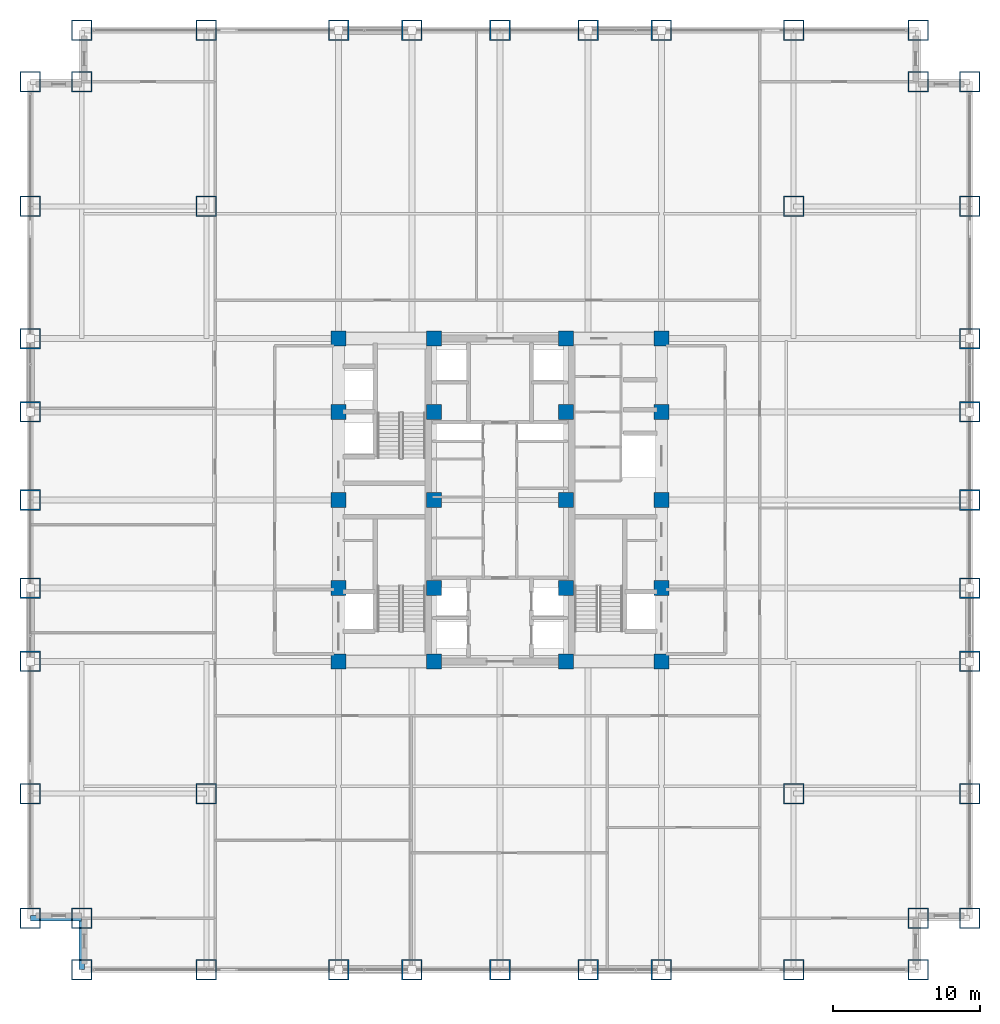
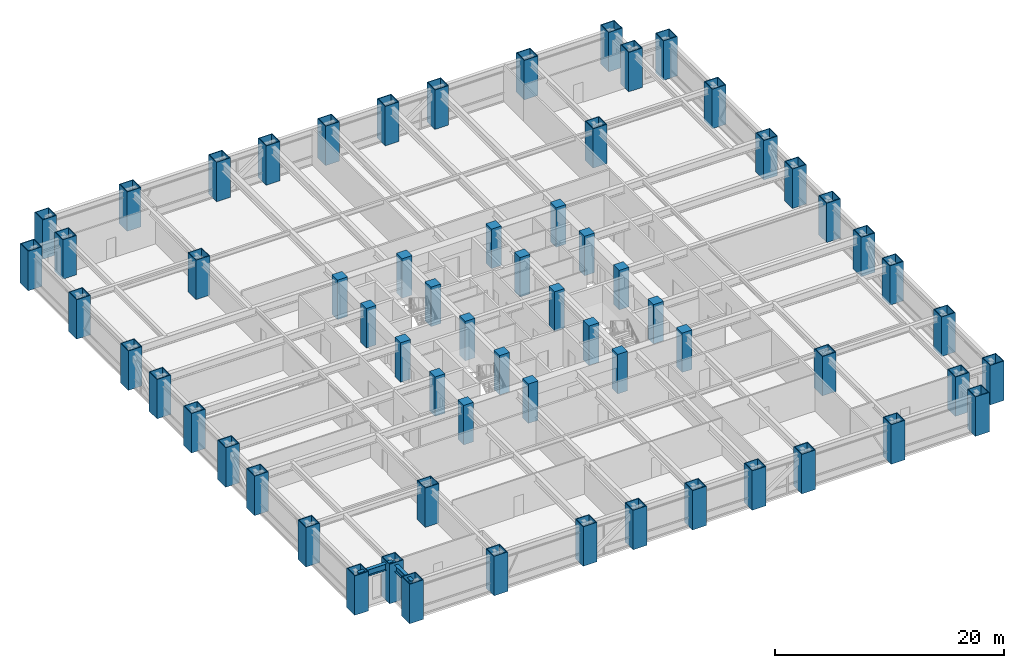
# One storey, part 1 of 28: 64 columns, 2 beams.
"""IFC4 building model written with IfcOpenShell, lengths in metres."""

from ifc_helpers import new_model, si_unit, direction, frame, origin, origin_2d, place, context, subcontext, project, spatial, rectangle, hollow_rectangle, i_section, extrude, source, transform, mapped, material, material_profile, profile_set, type_object, element, save


model = new_model("IFC4")

# Units and contexts
model_context = context("Model", 3, precision=1e-05, world=origin(), true_north=direction((0.0, 1.0)))
body_context = subcontext(model_context, "Body", "Model", "MODEL_VIEW")
ifc_project = project(units=[si_unit("LENGTHUNIT", "METRE"), si_unit("AREAUNIT", "SQUARE_METRE"), si_unit("VOLUMEUNIT", "CUBIC_METRE"), si_unit("PLANEANGLEUNIT", "RADIAN"), si_unit("MASSUNIT", "GRAM", prefix="KILO")], contexts=[model_context])

# Site, building, storey
site_placement = place(None, origin())
site = spatial("IfcSite", under=ifc_project, at=site_placement, CompositionType="ELEMENT")
building_placement = place(site_placement, origin())
building = spatial("IfcBuilding", under=site, at=building_placement, Name="Khorayat Bourse Tower", CompositionType="ELEMENT")
storey_placement = place(building_placement, frame((0.0, 0.0, 62.0)))
storey = spatial("IfcBuildingStorey", under=building, at=storey_placement, Name="L13", CompositionType="ELEMENT", Elevation=62.0)

# Columns
ifc_material_1 = material(Name="Steel EN 10025-4 S460M", Category="steel")
ifc_material_profile_1 = material_profile(ifc_material_1, hollow_rectangle(XDim=1.39990234375, YDim=1.39990234375, WallThickness=0.074951171875, at=origin_2d()), Name="BOX 1400x1400x75")
ifc_profile_set_1 = profile_set([ifc_material_profile_1], Name="Steel EN 10025-4 S460M")
column_type_1 = type_object("IfcColumnType", Name="COL-TUBE-1400", PredefinedType="COLUMN", material=ifc_profile_set_1)
shared_shape_1 = source(origin(), body_context, "Body", "SweptSolid", [
    extrude(hollow_rectangle(XDim=1.39990234375, YDim=1.39990234375, WallThickness=0.074951171875, at=origin_2d()), origin(), (0.0, 0.0, 1.0), 4.199951171875),
])
for number, where, z_axis, x_axis, name in (
    (1, (-32.0, -28.5, 0.0), (0.0, 0.0, 1.0), (1.0, 0.0, 0.0), "L13 Column 001"),
    (2, (-32.0, -20.0, 0.0), (0.0, 0.0, 1.0), (1.0, 0.0, 0.0), "L13 Column 002"),
    (3, (-32.0, -11.0, 0.0), (0.0, 0.0, 1.0), (1.0, 0.0, 0.0), "L13 Column 003"),
    (4, (-32.0, -6.0, 0.0), (0.0, 0.0, 1.0), (1.0, 0.0, 0.0), "L13 Column 004"),
    (5, (-32.0, 0.0, 0.0), (0.0, 0.0, 1.0), (1.0, 0.0, 0.0), "L13 Column 005"),
    (6, (-32.0, 6.0, 0.0), (0.0, 0.0, 1.0), (1.0, 0.0, 0.0), "L13 Column 006"),
    (7, (-32.0, 11.0, 0.0), (0.0, 0.0, 1.0), (1.0, 0.0, 0.0), "L13 Column 007"),
    (8, (-32.0, 20.0, 0.0), (0.0, 0.0, 1.0), (1.0, 0.0, 0.0), "L13 Column 008"),
    (9, (-32.0, 28.5, 0.0), (0.0, 0.0, 1.0), (1.0, 0.0, 0.0), "L13 Column 009"),
    (10, (-28.5, -32.0, 0.0), (0.0, 0.0, 1.0), (1.0, 0.0, 0.0), "L13 Column 010"),
    (11, (-28.5, -28.5, 0.0), (0.0, 0.0, 1.0), (1.0, 0.0, 0.0), "L13 Column 011"),
    (12, (-28.5, 28.5, 0.0), (0.0, 0.0, 1.0), (1.0, 0.0, 0.0), "L13 Column 012"),
    (13, (-28.5, 32.0, 0.0), (0.0, 0.0, 1.0), (1.0, 0.0, 0.0), "L13 Column 013"),
    (14, (-20.0, -32.0, 0.0), (0.0, 0.0, 1.0), (1.0, 0.0, 0.0), "L13 Column 014"),
    (15, (-20.0, -20.0, 0.0), (0.0, 0.0, 1.0), (1.0, 0.0, 0.0), "L13 Column 015"),
    (16, (-20.0, 20.0, 0.0), (0.0, 0.0, 1.0), (1.0, 0.0, 0.0), "L13 Column 016"),
    (17, (-20.0, 32.0, 0.0), (0.0, 0.0, 1.0), (1.0, 0.0, 0.0), "L13 Column 017"),
    (18, (-11.0, -32.0, 0.0), (0.0, 0.0, 1.0), (1.0, 0.0, 0.0), "L13 Column 018"),
    (19, (-11.0, 32.0, 0.0), (0.0, 0.0, 1.0), (1.0, 0.0, 0.0), "L13 Column 024"),
    (20, (-6.0, -32.0, 0.0), (0.0, 0.0, 1.0), (1.0, 0.0, 0.0), "L13 Column 025"),
    (21, (-6.0, 32.0, 0.0), (0.0, 0.0, 1.0), (1.0, 0.0, 0.0), "L13 Column 026"),
    (22, (0.0, -32.0, 0.0), (0.0, 0.0, 1.0), (1.0, 0.0, 0.0), "L13 Column 032"),
    (23, (0.0, 32.0, 0.0), (0.0, 0.0, 1.0), (1.0, 0.0, 0.0), "L13 Column 033"),
    (24, (6.0, -32.0, 0.0), (0.0, 0.0, 1.0), (1.0, 0.0, 0.0), "L13 Column 039"),
    (25, (6.0, 32.0, 0.0), (0.0, 0.0, 1.0), (1.0, 0.0, 0.0), "L13 Column 040"),
    (26, (11.0, -32.0, 0.0), (0.0, 0.0, 1.0), (1.0, 0.0, 0.0), "L13 Column 041"),
    (27, (11.0, 32.0, 0.0), (0.0, 0.0, 1.0), (1.0, 0.0, 0.0), "L13 Column 047"),
    (28, (20.0, -32.0, 0.0), (0.0, 0.0, 1.0), (1.0, 0.0, 0.0), "L13 Column 048"),
    (29, (20.0, -20.0, 0.0), (0.0, 0.0, 1.0), (1.0, 0.0, 0.0), "L13 Column 049"),
    (30, (20.0, 20.0, 0.0), (0.0, 0.0, 1.0), (1.0, 0.0, 0.0), "L13 Column 050"),
    (31, (20.0, 32.0, 0.0), (0.0, 0.0, 1.0), (1.0, 0.0, 0.0), "L13 Column 051"),
    (32, (28.5, -32.0, 0.0), (0.0, 0.0, 1.0), (1.0, 0.0, 0.0), "L13 Column 052"),
    (33, (28.5, -28.5, 0.0), (0.0, 0.0, 1.0), (1.0, 0.0, 0.0), "L13 Column 053"),
    (34, (28.5, 28.5, 0.0), (0.0, 0.0, 1.0), (1.0, 0.0, 0.0), "L13 Column 054"),
    (35, (28.5, 32.0, 0.0), (0.0, 0.0, 1.0), (1.0, 0.0, 0.0), "L13 Column 055"),
    (36, (32.0, -28.5, 0.0), (0.0, 0.0, 1.0), (1.0, 0.0, 0.0), "L13 Column 056"),
    (37, (32.0, -20.0, 0.0), (0.0, 0.0, 1.0), (1.0, 0.0, 0.0), "L13 Column 057"),
    (38, (32.0, -11.0, 0.0), (0.0, 0.0, 1.0), (1.0, 0.0, 0.0), "L13 Column 058"),
    (39, (32.0, -6.0, 0.0), (0.0, 0.0, 1.0), (1.0, 0.0, 0.0), "L13 Column 059"),
    (40, (32.0, 0.0, 0.0), (0.0, 0.0, 1.0), (1.0, 0.0, 0.0), "L13 Column 060"),
    (41, (32.0, 6.0, 0.0), (0.0, 0.0, 1.0), (1.0, 0.0, 0.0), "L13 Column 061"),
    (42, (32.0, 11.0, 0.0), (0.0, 0.0, 1.0), (1.0, 0.0, 0.0), "L13 Column 062"),
    (43, (32.0, 20.0, 0.0), (0.0, 0.0, 1.0), (1.0, 0.0, 0.0), "L13 Column 063"),
    (44, (32.0, 28.5, 0.0), (0.0, 0.0, 1.0), (1.0, 0.0, 0.0), "L13 Column 064"),
):
    element("IfcColumn", number, at=place(storey_placement, frame(where, z_axis=z_axis, x_axis=x_axis)), inside=storey, type_object=column_type_1, Name=name, PredefinedType="COLUMN", context=body_context, shape_type="MappedRepresentation", body=[
        mapped(shared_shape_1, transform((0.0, 0.0, 0.0), scale=1.0)),
    ])
ifc_material_2 = material(Name="Concrete C72/90", Category="concrete")
ifc_material_profile_2 = material_profile(ifc_material_2, rectangle(XDim=1.0, YDim=1.0, at=origin_2d()), Name="RC 1000x1000")
ifc_profile_set_2 = profile_set([ifc_material_profile_2], Name="Concrete C72/90")
column_type_2 = type_object("IfcColumnType", Name="COL-CORE-1000", PredefinedType="COLUMN", material=ifc_profile_set_2)
shared_shape_2 = source(origin(), body_context, "Body", "SweptSolid", [
    extrude(rectangle(XDim=1.0, YDim=1.0, at=origin_2d()), origin(), (0.0, 0.0, 1.0), 4.199951171875),
])
for number, where, z_axis, x_axis, name in (
    (45, (-11.0, -11.0, 0.0), (0.0, 0.0, 1.0), (1.0, 0.0, 0.0), "L13 Column 019"),
    (46, (-11.0, -6.0, 0.0), (0.0, 0.0, 1.0), (1.0, 0.0, 0.0), "L13 Column 020"),
    (47, (-11.0, 0.0, 0.0), (0.0, 0.0, 1.0), (1.0, 0.0, 0.0), "L13 Column 021"),
    (48, (-11.0, 6.0, 0.0), (0.0, 0.0, 1.0), (1.0, 0.0, 0.0), "L13 Column 022"),
    (49, (-11.0, 11.0, 0.0), (0.0, 0.0, 1.0), (1.0, 0.0, 0.0), "L13 Column 023"),
    (50, (-4.5, -11.0, 0.0), (0.0, 0.0, 1.0), (1.0, 0.0, 0.0), "L13 Column 027"),
    (51, (-4.5, -6.0, 0.0), (0.0, 0.0, 1.0), (1.0, 0.0, 0.0), "L13 Column 028"),
    (52, (-4.5, 0.0, 0.0), (0.0, 0.0, 1.0), (1.0, 0.0, 0.0), "L13 Column 029"),
    (53, (-4.5, 6.0, 0.0), (0.0, 0.0, 1.0), (1.0, 0.0, 0.0), "L13 Column 030"),
    (54, (-4.5, 11.0, 0.0), (0.0, 0.0, 1.0), (1.0, 0.0, 0.0), "L13 Column 031"),
    (55, (4.5, -11.0, 0.0), (0.0, 0.0, 1.0), (1.0, 0.0, 0.0), "L13 Column 034"),
    (56, (4.5, -6.0, 0.0), (0.0, 0.0, 1.0), (1.0, 0.0, 0.0), "L13 Column 035"),
    (57, (4.5, 0.0, 0.0), (0.0, 0.0, 1.0), (1.0, 0.0, 0.0), "L13 Column 036"),
    (58, (4.5, 6.0, 0.0), (0.0, 0.0, 1.0), (1.0, 0.0, 0.0), "L13 Column 037"),
    (59, (4.5, 11.0, 0.0), (0.0, 0.0, 1.0), (1.0, 0.0, 0.0), "L13 Column 038"),
    (60, (11.0, -11.0, 0.0), (0.0, 0.0, 1.0), (1.0, 0.0, 0.0), "L13 Column 042"),
    (61, (11.0, -6.0, 0.0), (0.0, 0.0, 1.0), (1.0, 0.0, 0.0), "L13 Column 043"),
    (62, (11.0, 0.0, 0.0), (0.0, 0.0, 1.0), (1.0, 0.0, 0.0), "L13 Column 044"),
    (63, (11.0, 6.0, 0.0), (0.0, 0.0, 1.0), (1.0, 0.0, 0.0), "L13 Column 045"),
    (64, (11.0, 11.0, 0.0), (0.0, 0.0, 1.0), (1.0, 0.0, 0.0), "L13 Column 046"),
):
    element("IfcColumn", number, at=place(storey_placement, frame(where, z_axis=z_axis, x_axis=x_axis)), inside=storey, type_object=column_type_2, Name=name, PredefinedType="COLUMN", context=body_context, shape_type="MappedRepresentation", body=[
        mapped(shared_shape_2, transform((0.0, 0.0, 0.0), scale=1.0)),
    ])

# Beams
ifc_material_3 = material(Name="Steel ASTM A992 Grade 50", Category="steel")
ifc_material_profile_3 = material_profile(ifc_material_3, i_section(OverallWidth=0.35498046875, OverallDepth=0.695068359375, WebThickness=0.015380859375, FlangeThickness=0.02490234375, FilletRadius=0.01806640625, at=origin_2d()), Name="W690X217")
ifc_profile_set_3 = profile_set([ifc_material_profile_3], Name="Steel ASTM A992 Grade 50")
beam_type = type_object("IfcBeamType", Name="BM-SPAN-690", PredefinedType="SPANDREL", material=ifc_profile_set_3)
shared_shape_3 = source(origin(), body_context, "Body", "SweptSolid", [
    extrude(i_section(OverallWidth=0.35498046875, OverallDepth=0.695068359375, WebThickness=0.015380859375, FlangeThickness=0.02490234375, FilletRadius=0.01806640625, at=origin_2d()), origin(), (0.0, 0.0, 1.0), 3.5),
])
for number, where, z_axis, x_axis, name in (
    (65, (-32.0, -28.5, 3.592529296875), (1.0, 0.0, 0.0), (0.0, 1.0, 0.0), "L13 BM-SPAN-690 BM-L13-SPN-062"),
    (66, (-28.5, -32.0, 3.592529296875), (0.0, 1.0, 0.0), (-1.0, 0.0, 0.0), "L13 BM-SPAN-690 BM-L13-SPN-063"),
):
    element("IfcBeam", number, at=place(storey_placement, frame(where, z_axis=z_axis, x_axis=x_axis)), inside=storey, type_object=beam_type, Name=name, PredefinedType="SPANDREL", context=body_context, shape_type="MappedRepresentation", body=[
        mapped(shared_shape_3, transform((0.0, 0.0, 0.0), scale=1.0)),
    ])

save(model, "model.ifc")
